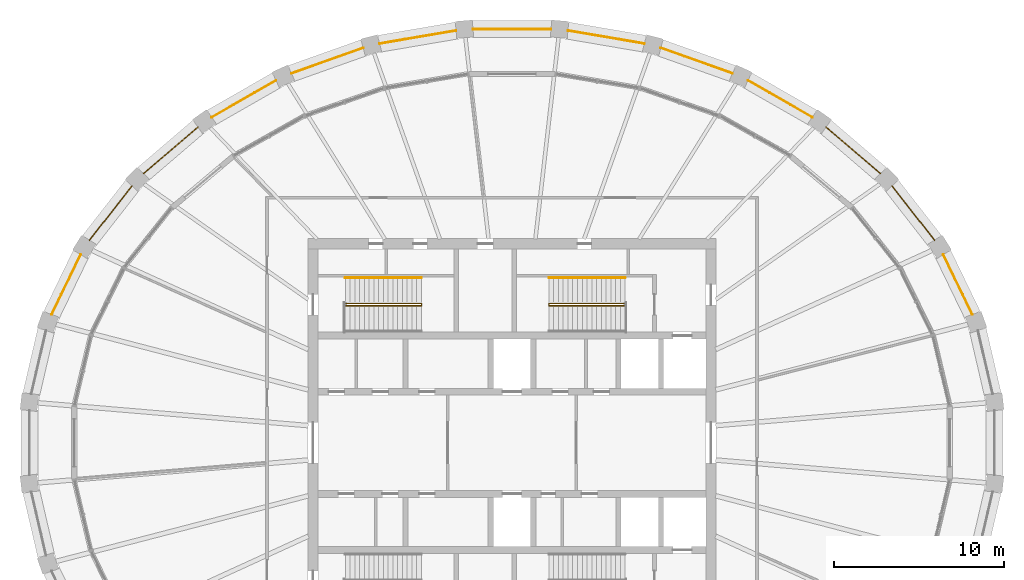
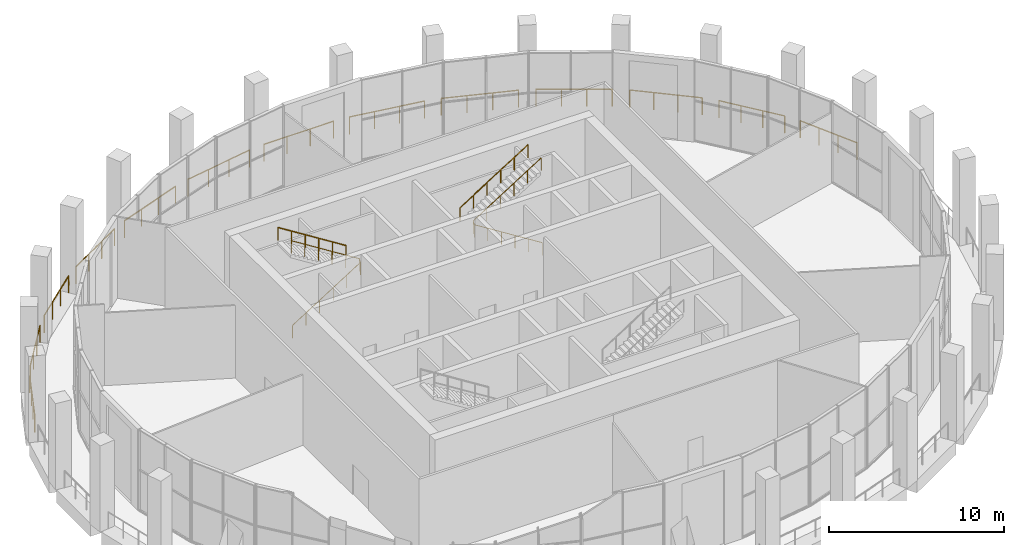
# One storey, part 15 of 15: 17 railings.
"""IFC4 building model written with IfcOpenShell, lengths in metres."""

from ifc_helpers import new_model, si_unit, direction, frame, origin, origin_2d, place, context, subcontext, project, spatial, circle, extrude, material, type_object, element, save


model = new_model("IFC4")

# Units and contexts
model_context = context("Model", 3, precision=1e-05, world=origin(), true_north=direction((0.0, 1.0)))
body_context = subcontext(model_context, "Body", "Model", "MODEL_VIEW")
ifc_project = project(units=[si_unit("LENGTHUNIT", "METRE"), si_unit("AREAUNIT", "SQUARE_METRE"), si_unit("VOLUMEUNIT", "CUBIC_METRE"), si_unit("PLANEANGLEUNIT", "RADIAN"), si_unit("MASSUNIT", "GRAM", prefix="KILO")], contexts=[model_context])

# Site, building, storey
site_placement = place(None, origin())
site = spatial("IfcSite", under=ifc_project, at=site_placement, CompositionType="ELEMENT")
building_placement = place(site_placement, origin())
building = spatial("IfcBuilding", under=site, at=building_placement, Name="Halqa Exchange Tower", CompositionType="ELEMENT")
storey_placement = place(building_placement, frame((0.0, 0.0, 343.300048828125)))
storey = spatial("IfcBuildingStorey", under=building, at=storey_placement, Name="L80", CompositionType="ELEMENT", Elevation=343.300048828125)

# Railings
ifc_material_1 = material(Name="Laminated glass and stainless steel", Category="steel")
railing_type_1 = type_object("IfcRailingType", Name="Public deck guard 1200 laminated glass", PredefinedType="GUARDRAIL", material=ifc_material_1)
railing_1_placement = place(storey_placement, frame((27.055419921875, 7.54150390625, 0.0)))
element("IfcRailing", 1, at=railing_1_placement, inside=storey, type_object=railing_type_1, Name="Public deck guard 2", PredefinedType="GUARDRAIL", context=body_context, shape_type="SweptSolid", body=[
    extrude(circle(Radius=0.02392578125, at=origin_2d()), frame((0.0, 0.0, 1.17578125), z_axis=(-0.435146748862, 0.900359543158, 0.0), x_axis=(-0.900359543158, -0.435146748862, 0.0)), (0.0, 0.0, 1.0), 3.913818359375),
    extrude(circle(Radius=0.02099609375, at=origin_2d()), origin(), (0.0, 0.0, 1.0), 1.15185546875),
    extrude(circle(Radius=0.02099609375, at=origin_2d()), frame((-0.567626953125, 1.174560546875, 0.0)), (0.0, 0.0, 1.0), 1.15185546875),
    extrude(circle(Radius=0.02099609375, at=origin_2d()), frame((-1.135498046875, 2.349365234375, 0.0)), (0.0, 0.0, 1.0), 1.15185546875),
    extrude(circle(Radius=0.02099609375, at=origin_2d()), frame((-1.703125, 3.52392578125, 0.0)), (0.0, 0.0, 1.0), 1.15185546875),
])
railing_2_placement = place(storey_placement, frame((24.827392578125, 11.909912109375, 0.0)))
element("IfcRailing", 2, at=railing_2_placement, inside=storey, type_object=railing_type_1, Name="Public deck guard 3", PredefinedType="GUARDRAIL", context=body_context, shape_type="SweptSolid", body=[
    extrude(circle(Radius=0.02392578125, at=origin_2d()), frame((0.0, 0.0, 1.17578125), z_axis=(-0.614821078368, 0.788666622594, 0.0), x_axis=(-0.788666622594, -0.614821078368, 0.0)), (0.0, 0.0, 1.0), 4.048828125),
    extrude(circle(Radius=0.02099609375, at=origin_2d()), origin(), (0.0, 0.0, 1.0), 1.15185546875),
    extrude(circle(Radius=0.02099609375, at=origin_2d()), frame((-0.829833984375, 1.064453125, 0.0)), (0.0, 0.0, 1.0), 1.15185546875),
    extrude(circle(Radius=0.02099609375, at=origin_2d()), frame((-1.659423828125, 2.128662109375, 0.0)), (0.0, 0.0, 1.0), 1.15185546875),
    extrude(circle(Radius=0.02099609375, at=origin_2d()), frame((-2.4892578125, 3.193115234375, 0.0)), (0.0, 0.0, 1.0), 1.15185546875),
])
railing_3_placement = place(storey_placement, frame((21.651123046875, 15.82275390625, 0.0)))
element("IfcRailing", 3, at=railing_3_placement, inside=storey, type_object=railing_type_1, Name="Public deck guard 4", PredefinedType="GUARDRAIL", context=body_context, shape_type="SweptSolid", body=[
    extrude(circle(Radius=0.02392578125, at=origin_2d()), frame((0.0, 0.0, 1.17578125), z_axis=(-0.75927300229, 0.650772239723, 0.0), x_axis=(-0.650772239723, -0.75927300229, 0.0)), (0.0, 0.0, 1.0), 4.203125),
    extrude(circle(Radius=0.02099609375, at=origin_2d()), origin(), (0.0, 0.0, 1.0), 1.15185546875),
    extrude(circle(Radius=0.02099609375, at=origin_2d()), frame((-1.063720703125, 0.911865234375, 0.0)), (0.0, 0.0, 1.0), 1.15185546875),
    extrude(circle(Radius=0.02099609375, at=origin_2d()), frame((-2.127685546875, 1.823486328125, 0.0)), (0.0, 0.0, 1.0), 1.15185546875),
    extrude(circle(Radius=0.02099609375, at=origin_2d()), frame((-3.19140625, 2.7353515625, 0.0)), (0.0, 0.0, 1.0), 1.15185546875),
])
railing_4_placement = place(storey_placement, frame((17.646240234375, 19.132080078125, 0.0)))
element("IfcRailing", 4, at=railing_4_placement, inside=storey, type_object=railing_type_1, Name="Public deck guard 5", PredefinedType="GUARDRAIL", context=body_context, shape_type="SweptSolid", body=[
    extrude(circle(Radius=0.02392578125, at=origin_2d()), frame((0.0, 0.0, 1.17578125), z_axis=(-0.867752650497, 0.496996315434, 0.0), x_axis=(-0.496996315434, -0.867752650497, 0.0)), (0.0, 0.0, 1.0), 4.353271484375),
    extrude(circle(Radius=0.02099609375, at=origin_2d()), origin(), (0.0, 0.0, 1.0), 1.15185546875),
    extrude(circle(Radius=0.02099609375, at=origin_2d()), frame((-1.25927734375, 0.72119140625, 0.0)), (0.0, 0.0, 1.0), 1.15185546875),
    extrude(circle(Radius=0.02099609375, at=origin_2d()), frame((-2.518310546875, 1.4423828125, 0.0)), (0.0, 0.0, 1.0), 1.15185546875),
    extrude(circle(Radius=0.02099609375, at=origin_2d()), frame((-3.777587890625, 2.16357421875, 0.0)), (0.0, 0.0, 1.0), 1.15185546875),
])
railing_5_placement = place(storey_placement, frame((12.963623046875, 21.71142578125, 0.0)))
element("IfcRailing", 5, at=railing_5_placement, inside=storey, type_object=railing_type_1, Name="Public deck guard 6", PredefinedType="GUARDRAIL", context=body_context, shape_type="SweptSolid", body=[
    extrude(circle(Radius=0.02392578125, at=origin_2d()), frame((0.0, 0.0, 1.17578125), z_axis=(-0.942364531835, 0.334587939321, 0.0), x_axis=(-0.334587939321, -0.942364531835, 0.0)), (0.0, 0.0, 1.0), 4.477294921875),
    extrude(circle(Radius=0.02099609375, at=origin_2d()), origin(), (0.0, 0.0, 1.0), 1.15185546875),
    extrude(circle(Radius=0.02099609375, at=origin_2d()), frame((-1.406494140625, 0.499267578125, 0.0)), (0.0, 0.0, 1.0), 1.15185546875),
    extrude(circle(Radius=0.02099609375, at=origin_2d()), frame((-2.812744140625, 0.998779296875, 0.0)), (0.0, 0.0, 1.0), 1.15185546875),
    extrude(circle(Radius=0.02099609375, at=origin_2d()), frame((-4.21923828125, 1.498046875, 0.0)), (0.0, 0.0, 1.0), 1.15185546875),
])
railing_6_placement = place(storey_placement, frame((7.7802734375, 23.460693359375, 0.0)))
element("IfcRailing", 6, at=railing_6_placement, inside=storey, type_object=railing_type_1, Name="Public deck guard 7", PredefinedType="GUARDRAIL", context=body_context, shape_type="SweptSolid", body=[
    extrude(circle(Radius=0.02392578125, at=origin_2d()), frame((0.0, 0.0, 1.17578125), z_axis=(-0.985768911013, 0.168106079843, 0.0), x_axis=(-0.168106079843, -0.985768911013, 0.0)), (0.0, 0.0, 1.0), 4.558837890625),
    extrude(circle(Radius=0.02099609375, at=origin_2d()), origin(), (0.0, 0.0, 1.0), 1.15185546875),
    extrude(circle(Radius=0.02099609375, at=origin_2d()), frame((-1.498046875, 0.25537109375, 0.0)), (0.0, 0.0, 1.0), 1.15185546875),
    extrude(circle(Radius=0.02099609375, at=origin_2d()), frame((-2.995849609375, 0.510986328125, 0.0)), (0.0, 0.0, 1.0), 1.15185546875),
    extrude(circle(Radius=0.02099609375, at=origin_2d()), frame((-4.493896484375, 0.766357421875, 0.0)), (0.0, 0.0, 1.0), 1.15185546875),
])
railing_7_placement = place(storey_placement, frame((2.29345703125, 24.31103515625, 0.0)))
element("IfcRailing", 7, at=railing_7_placement, inside=storey, type_object=railing_type_1, Name="Public deck guard 8", PredefinedType="GUARDRAIL", context=body_context, shape_type="SweptSolid", body=[
    extrude(circle(Radius=0.02392578125, at=origin_2d()), frame((0.0, 0.0, 1.17578125), z_axis=(-1.0, 0.0, 0.0), x_axis=(0.0, -1.0, 0.0)), (0.0, 0.0, 1.0), 4.5869140625),
    extrude(circle(Radius=0.02099609375, at=origin_2d()), origin(), (0.0, 0.0, 1.0), 1.15185546875),
    extrude(circle(Radius=0.02099609375, at=origin_2d()), frame((-1.529052734375, 0.0, 0.0)), (0.0, 0.0, 1.0), 1.15185546875),
    extrude(circle(Radius=0.02099609375, at=origin_2d()), frame((-3.057861328125, 0.0, 0.0)), (0.0, 0.0, 1.0), 1.15185546875),
    extrude(circle(Radius=0.02099609375, at=origin_2d()), frame((-4.5869140625, 0.0, 0.0)), (0.0, 0.0, 1.0), 1.15185546875),
])
railing_8_placement = place(storey_placement, frame((-3.286376953125, 24.22705078125, 0.0)))
element("IfcRailing", 8, at=railing_8_placement, inside=storey, type_object=railing_type_1, Name="Public deck guard 9", PredefinedType="GUARDRAIL", context=body_context, shape_type="SweptSolid", body=[
    extrude(circle(Radius=0.02392578125, at=origin_2d()), frame((0.0, 0.0, 1.17578125), z_axis=(-0.985768911013, -0.168106079843, 0.0), x_axis=(0.168106079843, -0.985768911013, 0.0)), (0.0, 0.0, 1.0), 4.558837890625),
    extrude(circle(Radius=0.02099609375, at=origin_2d()), origin(), (0.0, 0.0, 1.0), 1.15185546875),
    extrude(circle(Radius=0.02099609375, at=origin_2d()), frame((-1.498046875, -0.25537109375, 0.0)), (0.0, 0.0, 1.0), 1.15185546875),
    extrude(circle(Radius=0.02099609375, at=origin_2d()), frame((-2.995849609375, -0.510986328125, 0.0)), (0.0, 0.0, 1.0), 1.15185546875),
    extrude(circle(Radius=0.02099609375, at=origin_2d()), frame((-4.493896484375, -0.766357421875, 0.0)), (0.0, 0.0, 1.0), 1.15185546875),
])
railing_9_placement = place(storey_placement, frame((-8.744384765625, 23.20947265625, 0.0)))
element("IfcRailing", 9, at=railing_9_placement, inside=storey, type_object=railing_type_1, Name="Public deck guard 10", PredefinedType="GUARDRAIL", context=body_context, shape_type="SweptSolid", body=[
    extrude(circle(Radius=0.02392578125, at=origin_2d()), frame((0.0, 0.0, 1.17578125), z_axis=(-0.942364531835, -0.334587939321, 0.0), x_axis=(0.334587939321, -0.942364531835, 0.0)), (0.0, 0.0, 1.0), 4.477294921875),
    extrude(circle(Radius=0.02099609375, at=origin_2d()), origin(), (0.0, 0.0, 1.0), 1.15185546875),
    extrude(circle(Radius=0.02099609375, at=origin_2d()), frame((-1.406494140625, -0.499267578125, 0.0)), (0.0, 0.0, 1.0), 1.15185546875),
    extrude(circle(Radius=0.02099609375, at=origin_2d()), frame((-2.812744140625, -0.998779296875, 0.0)), (0.0, 0.0, 1.0), 1.15185546875),
    extrude(circle(Radius=0.02099609375, at=origin_2d()), frame((-4.21923828125, -1.498046875, 0.0)), (0.0, 0.0, 1.0), 1.15185546875),
])
railing_10_placement = place(storey_placement, frame((-13.86865234375, 21.295654296875, 0.0)))
element("IfcRailing", 10, at=railing_10_placement, inside=storey, type_object=railing_type_1, Name="Public deck guard 11", PredefinedType="GUARDRAIL", context=body_context, shape_type="SweptSolid", body=[
    extrude(circle(Radius=0.02392578125, at=origin_2d()), frame((0.0, 0.0, 1.17578125), z_axis=(-0.867752650497, -0.496996315434, 0.0), x_axis=(0.496996315434, -0.867752650497, 0.0)), (0.0, 0.0, 1.0), 4.353271484375),
    extrude(circle(Radius=0.02099609375, at=origin_2d()), origin(), (0.0, 0.0, 1.0), 1.15185546875),
    extrude(circle(Radius=0.02099609375, at=origin_2d()), frame((-1.25927734375, -0.72119140625, 0.0)), (0.0, 0.0, 1.0), 1.15185546875),
    extrude(circle(Radius=0.02099609375, at=origin_2d()), frame((-2.518310546875, -1.4423828125, 0.0)), (0.0, 0.0, 1.0), 1.15185546875),
    extrude(circle(Radius=0.02099609375, at=origin_2d()), frame((-3.777587890625, -2.16357421875, 0.0)), (0.0, 0.0, 1.0), 1.15185546875),
])
railing_11_placement = place(storey_placement, frame((-18.459716796875, 18.55810546875, 0.0)))
element("IfcRailing", 11, at=railing_11_placement, inside=storey, type_object=railing_type_1, Name="Public deck guard 12", PredefinedType="GUARDRAIL", context=body_context, shape_type="SweptSolid", body=[
    extrude(circle(Radius=0.02392578125, at=origin_2d()), frame((0.0, 0.0, 1.17578125), z_axis=(-0.75927300229, -0.650772239723, 0.0), x_axis=(0.650772239723, -0.75927300229, 0.0)), (0.0, 0.0, 1.0), 4.203125),
    extrude(circle(Radius=0.02099609375, at=origin_2d()), origin(), (0.0, 0.0, 1.0), 1.15185546875),
    extrude(circle(Radius=0.02099609375, at=origin_2d()), frame((-1.063720703125, -0.911865234375, 0.0)), (0.0, 0.0, 1.0), 1.15185546875),
    extrude(circle(Radius=0.02099609375, at=origin_2d()), frame((-2.127685546875, -1.823486328125, 0.0)), (0.0, 0.0, 1.0), 1.15185546875),
    extrude(circle(Radius=0.02099609375, at=origin_2d()), frame((-3.19140625, -2.7353515625, 0.0)), (0.0, 0.0, 1.0), 1.15185546875),
])
railing_12_placement = place(storey_placement, frame((-22.338134765625, 15.10302734375, 0.0)))
element("IfcRailing", 12, at=railing_12_placement, inside=storey, type_object=railing_type_1, Name="Public deck guard 13", PredefinedType="GUARDRAIL", context=body_context, shape_type="SweptSolid", body=[
    extrude(circle(Radius=0.02392578125, at=origin_2d()), frame((0.0, 0.0, 1.17578125), z_axis=(-0.614821078368, -0.788666622594, 0.0), x_axis=(0.788666622594, -0.614821078368, 0.0)), (0.0, 0.0, 1.0), 4.048828125),
    extrude(circle(Radius=0.02099609375, at=origin_2d()), origin(), (0.0, 0.0, 1.0), 1.15185546875),
    extrude(circle(Radius=0.02099609375, at=origin_2d()), frame((-0.829833984375, -1.064453125, 0.0)), (0.0, 0.0, 1.0), 1.15185546875),
    extrude(circle(Radius=0.02099609375, at=origin_2d()), frame((-1.659423828125, -2.128662109375, 0.0)), (0.0, 0.0, 1.0), 1.15185546875),
    extrude(circle(Radius=0.02099609375, at=origin_2d()), frame((-2.4892578125, -3.193115234375, 0.0)), (0.0, 0.0, 1.0), 1.15185546875),
])
railing_13_placement = place(storey_placement, frame((-25.352294921875, 11.0654296875, 0.0)))
element("IfcRailing", 13, at=railing_13_placement, inside=storey, type_object=railing_type_1, Name="Public deck guard 14", PredefinedType="GUARDRAIL", context=body_context, shape_type="SweptSolid", body=[
    extrude(circle(Radius=0.02392578125, at=origin_2d()), frame((0.0, 0.0, 1.17578125), z_axis=(-0.435146748862, -0.900359543158, 0.0), x_axis=(0.900359543158, -0.435146748862, 0.0)), (0.0, 0.0, 1.0), 3.913818359375),
    extrude(circle(Radius=0.02099609375, at=origin_2d()), origin(), (0.0, 0.0, 1.0), 1.15185546875),
    extrude(circle(Radius=0.02099609375, at=origin_2d()), frame((-0.567626953125, -1.174560546875, 0.0)), (0.0, 0.0, 1.0), 1.15185546875),
    extrude(circle(Radius=0.02099609375, at=origin_2d()), frame((-1.135498046875, -2.349365234375, 0.0)), (0.0, 0.0, 1.0), 1.15185546875),
    extrude(circle(Radius=0.02099609375, at=origin_2d()), frame((-1.703125, -3.52392578125, 0.0)), (0.0, 0.0, 1.0), 1.15185546875),
])
ifc_material_2 = material(Name="Stainless steel", Category="steel")
railing_type_2 = type_object("IfcRailingType", Name="Stair handrail 900", PredefinedType="HANDRAIL", material=ifc_material_2)
railing_14_placement = place(storey_placement, frame((-9.800048828125, 8.06005859375, 0.176513671875)))
element("IfcRailing", 14, at=railing_14_placement, inside=storey, type_object=railing_type_2, Name="Handrail ST1.1", PredefinedType="HANDRAIL", context=body_context, shape_type="SweptSolid", body=[
    extrude(circle(Radius=0.02392578125, at=origin_2d()), frame((0.0, 0.0, 0.8759765625), z_axis=(0.845997938375, 0.0, 0.533186166611), x_axis=(0.0, 1.0, 0.0)), (0.0, 0.0, 1.0), 5.29541015625),
    extrude(circle(Radius=0.02392578125, at=origin_2d()), frame((4.47998046875, 0.0, 3.69921875), z_axis=(0.0, 0.592666891562, 0.805447674059), x_axis=(-1.0, 0.0, 0.0)), (0.0, 0.0, 1.0), 0.21923828125),
    extrude(circle(Radius=0.02392578125, at=origin_2d()), frame((4.47998046875, 0.1298828125, 3.8759765625), z_axis=(-0.845997938375, 0.0, 0.533186166611), x_axis=(0.0, -1.0, 0.0)), (0.0, 0.0, 1.0), 5.29541015625),
    extrude(circle(Radius=0.02099609375, at=origin_2d()), origin(), (0.0, 0.0, 1.0), 0.851806640625),
    extrude(circle(Radius=0.02099609375, at=origin_2d()), frame((0.89599609375, 0.0, 0.564697265625)), (0.0, 0.0, 1.0), 0.851806640625),
    extrude(circle(Radius=0.02099609375, at=origin_2d()), frame((1.7919921875, 0.0, 1.12939453125)), (0.0, 0.0, 1.0), 0.851806640625),
    extrude(circle(Radius=0.02099609375, at=origin_2d()), frame((2.68798828125, 0.0, 1.694091796875)), (0.0, 0.0, 1.0), 0.851806640625),
    extrude(circle(Radius=0.02099609375, at=origin_2d()), frame((3.583984375, 0.0, 2.2587890625)), (0.0, 0.0, 1.0), 0.851806640625),
    extrude(circle(Radius=0.02099609375, at=origin_2d()), frame((4.47998046875, 0.0, 2.823486328125)), (0.0, 0.0, 1.0), 0.851806640625),
    extrude(circle(Radius=0.02099609375, at=origin_2d()), frame((4.47998046875, 0.1298828125, 3.0)), (0.0, 0.0, 1.0), 0.851806640625),
    extrude(circle(Radius=0.02099609375, at=origin_2d()), frame((3.583984375, 0.1298828125, 3.564697265625)), (0.0, 0.0, 1.0), 0.851806640625),
    extrude(circle(Radius=0.02099609375, at=origin_2d()), frame((2.68798828125, 0.1298828125, 4.12939453125)), (0.0, 0.0, 1.0), 0.851806640625),
    extrude(circle(Radius=0.02099609375, at=origin_2d()), frame((1.7919921875, 0.1298828125, 4.694091796875)), (0.0, 0.0, 1.0), 0.851806640625),
    extrude(circle(Radius=0.02099609375, at=origin_2d()), frame((0.89599609375, 0.1298828125, 5.2587890625)), (0.0, 0.0, 1.0), 0.851806640625),
    extrude(circle(Radius=0.02099609375, at=origin_2d()), frame((0.0, 0.1298828125, 5.823486328125)), (0.0, 0.0, 1.0), 0.851806640625),
])
railing_15_placement = place(storey_placement, frame((-5.320068359375, 9.699951171875, 3.176513671875)))
element("IfcRailing", 15, at=railing_15_placement, inside=storey, type_object=railing_type_2, Name="Handrail ST1.3", PredefinedType="HANDRAIL", context=body_context, shape_type="SweptSolid", body=[
    extrude(circle(Radius=0.02392578125, at=origin_2d()), frame((0.0, 0.0, 0.8759765625), z_axis=(-0.845997938375, 0.0, 0.533186166611), x_axis=(0.0, -1.0, 0.0)), (0.0, 0.0, 1.0), 5.29541015625),
    extrude(circle(Radius=0.02099609375, at=origin_2d()), origin(), (0.0, 0.0, 1.0), 0.851806640625),
    extrude(circle(Radius=0.02099609375, at=origin_2d()), frame((-0.89599609375, 0.0, 0.564697265625)), (0.0, 0.0, 1.0), 0.851806640625),
    extrude(circle(Radius=0.02099609375, at=origin_2d()), frame((-1.7919921875, 0.0, 1.12939453125)), (0.0, 0.0, 1.0), 0.851806640625),
    extrude(circle(Radius=0.02099609375, at=origin_2d()), frame((-2.68798828125, 0.0, 1.694091796875)), (0.0, 0.0, 1.0), 0.851806640625),
    extrude(circle(Radius=0.02099609375, at=origin_2d()), frame((-3.583984375, 0.0, 2.2587890625)), (0.0, 0.0, 1.0), 0.851806640625),
    extrude(circle(Radius=0.02099609375, at=origin_2d()), frame((-4.47998046875, 0.0, 2.823486328125)), (0.0, 0.0, 1.0), 0.851806640625),
])
railing_16_placement = place(storey_placement, frame((6.64990234375, 8.06005859375, 0.176513671875)))
element("IfcRailing", 16, at=railing_16_placement, inside=storey, type_object=railing_type_2, Name="Handrail ST2.1", PredefinedType="HANDRAIL", context=body_context, shape_type="SweptSolid", body=[
    extrude(circle(Radius=0.02392578125, at=origin_2d()), frame((0.0, 0.0, 0.8759765625), z_axis=(-0.845997938375, 0.0, 0.533186166611), x_axis=(0.0, -1.0, 0.0)), (0.0, 0.0, 1.0), 5.29541015625),
    extrude(circle(Radius=0.02392578125, at=origin_2d()), frame((-4.47998046875, 0.0, 3.69921875), z_axis=(0.0, 0.592666891562, 0.805447674059), x_axis=(-1.0, 0.0, 0.0)), (0.0, 0.0, 1.0), 0.21923828125),
    extrude(circle(Radius=0.02392578125, at=origin_2d()), frame((-4.47998046875, 0.1298828125, 3.8759765625), z_axis=(0.845997938375, 0.0, 0.533186166611), x_axis=(0.0, 1.0, 0.0)), (0.0, 0.0, 1.0), 5.29541015625),
    extrude(circle(Radius=0.02099609375, at=origin_2d()), origin(), (0.0, 0.0, 1.0), 0.851806640625),
    extrude(circle(Radius=0.02099609375, at=origin_2d()), frame((-0.89599609375, 0.0, 0.564697265625)), (0.0, 0.0, 1.0), 0.851806640625),
    extrude(circle(Radius=0.02099609375, at=origin_2d()), frame((-1.7919921875, 0.0, 1.12939453125)), (0.0, 0.0, 1.0), 0.851806640625),
    extrude(circle(Radius=0.02099609375, at=origin_2d()), frame((-2.68798828125, 0.0, 1.694091796875)), (0.0, 0.0, 1.0), 0.851806640625),
    extrude(circle(Radius=0.02099609375, at=origin_2d()), frame((-3.583984375, 0.0, 2.2587890625)), (0.0, 0.0, 1.0), 0.851806640625),
    extrude(circle(Radius=0.02099609375, at=origin_2d()), frame((-4.47998046875, 0.0, 2.823486328125)), (0.0, 0.0, 1.0), 0.851806640625),
    extrude(circle(Radius=0.02099609375, at=origin_2d()), frame((-4.47998046875, 0.1298828125, 3.0)), (0.0, 0.0, 1.0), 0.851806640625),
    extrude(circle(Radius=0.02099609375, at=origin_2d()), frame((-3.583984375, 0.1298828125, 3.564697265625)), (0.0, 0.0, 1.0), 0.851806640625),
    extrude(circle(Radius=0.02099609375, at=origin_2d()), frame((-2.68798828125, 0.1298828125, 4.12939453125)), (0.0, 0.0, 1.0), 0.851806640625),
    extrude(circle(Radius=0.02099609375, at=origin_2d()), frame((-1.7919921875, 0.1298828125, 4.694091796875)), (0.0, 0.0, 1.0), 0.851806640625),
    extrude(circle(Radius=0.02099609375, at=origin_2d()), frame((-0.89599609375, 0.1298828125, 5.2587890625)), (0.0, 0.0, 1.0), 0.851806640625),
    extrude(circle(Radius=0.02099609375, at=origin_2d()), frame((0.0, 0.1298828125, 5.823486328125)), (0.0, 0.0, 1.0), 0.851806640625),
])
railing_17_placement = place(storey_placement, frame((2.169921875, 9.699951171875, 3.176513671875)))
element("IfcRailing", 17, at=railing_17_placement, inside=storey, type_object=railing_type_2, Name="Handrail ST2.3", PredefinedType="HANDRAIL", context=body_context, shape_type="SweptSolid", body=[
    extrude(circle(Radius=0.02392578125, at=origin_2d()), frame((0.0, 0.0, 0.8759765625), z_axis=(0.845997938375, 0.0, 0.533186166611), x_axis=(0.0, 1.0, 0.0)), (0.0, 0.0, 1.0), 5.29541015625),
    extrude(circle(Radius=0.02099609375, at=origin_2d()), origin(), (0.0, 0.0, 1.0), 0.851806640625),
    extrude(circle(Radius=0.02099609375, at=origin_2d()), frame((0.89599609375, 0.0, 0.564697265625)), (0.0, 0.0, 1.0), 0.851806640625),
    extrude(circle(Radius=0.02099609375, at=origin_2d()), frame((1.7919921875, 0.0, 1.12939453125)), (0.0, 0.0, 1.0), 0.851806640625),
    extrude(circle(Radius=0.02099609375, at=origin_2d()), frame((2.68798828125, 0.0, 1.694091796875)), (0.0, 0.0, 1.0), 0.851806640625),
    extrude(circle(Radius=0.02099609375, at=origin_2d()), frame((3.583984375, 0.0, 2.2587890625)), (0.0, 0.0, 1.0), 0.851806640625),
    extrude(circle(Radius=0.02099609375, at=origin_2d()), frame((4.47998046875, 0.0, 2.823486328125)), (0.0, 0.0, 1.0), 0.851806640625),
])

save(model, "model.ifc")
